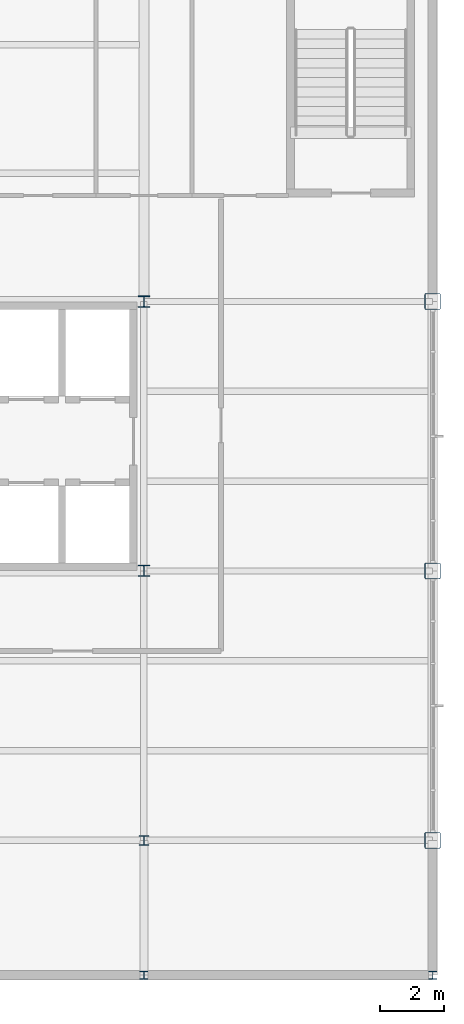
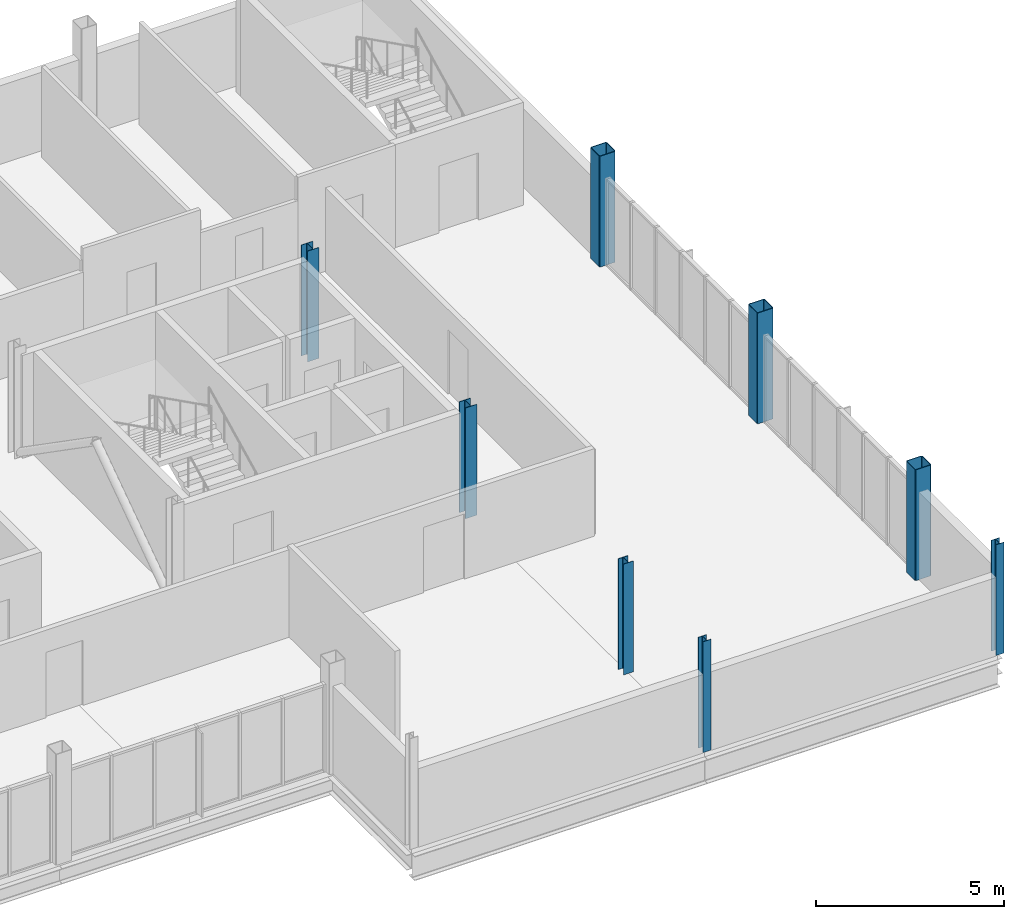
# One storey, part 2 of 16: 8 columns.
"""IFC4 building model written with IfcOpenShell, lengths in metres."""

from ifc_helpers import new_model, si_unit, direction, frame, origin, origin_2d, place, context, subcontext, project, spatial, hollow_rectangle, i_section, extrude, material, material_profile, profile_set, type_object, element, save


model = new_model("IFC4")

# Units and contexts
model_context = context("Model", 3, precision=1e-05, world=origin(), true_north=direction((0.0, 1.0)))
body_context = subcontext(model_context, "Body", "Model", "MODEL_VIEW")
ifc_project = project(units=[si_unit("LENGTHUNIT", "METRE"), si_unit("AREAUNIT", "SQUARE_METRE"), si_unit("VOLUMEUNIT", "CUBIC_METRE"), si_unit("PLANEANGLEUNIT", "RADIAN"), si_unit("MASSUNIT", "GRAM", prefix="KILO")], contexts=[model_context])

# Site, building, storey
site_placement = place(None, origin())
site = spatial("IfcSite", under=ifc_project, at=site_placement, CompositionType="ELEMENT")
building_placement = place(site_placement, origin())
building = spatial("IfcBuilding", under=site, at=building_placement, Name="Yukiwa Park Conservatory and Herbarium", CompositionType="ELEMENT")
storey_placement = place(building_placement, frame((0.0, 0.0, 39.60009765625)))
storey = spatial("IfcBuildingStorey", under=building, at=storey_placement, Name="L10", CompositionType="ELEMENT", Elevation=39.60009765625)

# Columns
ifc_material_1 = material(Name="Steel Q355D", Category="steel")
ifc_material_profile_1 = material_profile(ifc_material_1, i_section(OverallWidth=0.25, OverallDepth=0.25, WebThickness=0.009033203125, FlangeThickness=0.013916015625, FilletRadius=0.01611328125, at=origin_2d()), Name="HW 250x250x9x14")
ifc_profile_set_1 = profile_set([ifc_material_profile_1], Name="Steel Q355D")
column_type_1 = type_object("IfcColumnType", Name="COL-SB-HW250", PredefinedType="COLUMN", material=ifc_profile_set_1)
for number, where, z_axis, x_axis, name in (
    (1, (159.0, 82.199951171875, 0.0), (0.0, 0.0, 1.0), (1.0, 0.0, 0.0), "L10 column V5SB2-X1590-Y822"),
    (2, (168.0, 82.199951171875, 0.0), (0.0, 0.0, 1.0), (1.0, 0.0, 0.0), "L10 column V5SB2-X1680-Y822"),
):
    element("IfcColumn", number, at=place(storey_placement, frame(where, z_axis=z_axis, x_axis=x_axis)), inside=storey, type_object=column_type_1, Name=name, PredefinedType="COLUMN", context=body_context, shape_type="SweptSolid", body=[
        extrude(i_section(OverallWidth=0.25, OverallDepth=0.25, WebThickness=0.009033203125, FlangeThickness=0.013916015625, FilletRadius=0.01611328125, at=origin_2d()), origin(), (0.0, 0.0, 1.0), 3.599853515625),
    ])
ifc_material_2 = material(Name="Steel Q355D", Category="steel")
ifc_material_profile_2 = material_profile(ifc_material_2, hollow_rectangle(XDim=0.5, YDim=0.5, WallThickness=0.02001953125, InnerFilletRadius=0.02001953125, OuterFilletRadius=0.0400390625, at=origin_2d()), Name="BOX 500x500x20")
ifc_profile_set_2 = profile_set([ifc_material_profile_2], Name="Steel Q355D")
column_type_2 = type_object("IfcColumnType", Name="COL-TW-BOX500-EXT", PredefinedType="COLUMN", material=ifc_profile_set_2)
for number, where, z_axis, x_axis, name in (
    (3, (168.0, 86.39990234375, 0.0), (0.0, 0.0, 1.0), (1.0, 0.0, 0.0), "L10 column V5-X1680-Y864"),
    (4, (168.0, 94.800048828125, 0.0), (0.0, 0.0, 1.0), (1.0, 0.0, 0.0), "L10 column V5-X1680-Y948"),
    (5, (168.0, 103.199951171875, 0.0), (0.0, 0.0, 1.0), (1.0, 0.0, 0.0), "L10 column V5-X1680-Y1032"),
):
    element("IfcColumn", number, at=place(storey_placement, frame(where, z_axis=z_axis, x_axis=x_axis)), inside=storey, type_object=column_type_2, Name=name, PredefinedType="COLUMN", context=body_context, shape_type="SweptSolid", body=[
        extrude(hollow_rectangle(XDim=0.5, YDim=0.5, WallThickness=0.02001953125, InnerFilletRadius=0.02001953125, OuterFilletRadius=0.0400390625, at=origin_2d()), origin(), (0.0, 0.0, 1.0), 3.599853515625),
    ])
ifc_material_3 = material(Name="Steel Q355D", Category="steel")
ifc_material_profile_3 = material_profile(ifc_material_3, i_section(OverallWidth=0.300048828125, OverallDepth=0.300048828125, WebThickness=0.010009765625, FlangeThickness=0.014892578125, FilletRadius=0.01806640625, at=origin_2d()), Name="HW 300x300x10x15")
ifc_profile_set_3 = profile_set([ifc_material_profile_3], Name="Steel Q355D")
column_type_3 = type_object("IfcColumnType", Name="COL-TW-HW300", PredefinedType="COLUMN", material=ifc_profile_set_3)
column_placement = place(storey_placement, frame((159.0, 86.39990234375, 0.0), z_axis=(0.0, 0.0, 1.0), x_axis=(1.0, 0.0, 0.0)))
element("IfcColumn", 6, at=column_placement, inside=storey, type_object=column_type_3, Name="L10 column V5-X1590-Y864", PredefinedType="COLUMN", context=body_context, shape_type="SweptSolid", body=[
    extrude(i_section(OverallWidth=0.300048828125, OverallDepth=0.300048828125, WebThickness=0.010009765625, FlangeThickness=0.014892578125, FilletRadius=0.01806640625, at=origin_2d()), origin(), (0.0, 0.0, 1.0), 3.599853515625),
])
ifc_material_4 = material(Name="Steel Q355D", Category="steel")
ifc_material_profile_4 = material_profile(ifc_material_4, i_section(OverallWidth=0.347900390625, OverallDepth=0.343994140625, WebThickness=0.010009765625, FlangeThickness=0.01611328125, FilletRadius=0.02001953125, at=origin_2d()), Name="HW 344x348x10x16")
ifc_profile_set_4 = profile_set([ifc_material_profile_4], Name="Steel Q355D")
column_type_4 = type_object("IfcColumnType", Name="COL-TW-HW344", PredefinedType="COLUMN", material=ifc_profile_set_4)
for number, where, z_axis, x_axis, name in (
    (7, (159.0, 94.800048828125, 0.0), (0.0, 0.0, 1.0), (1.0, 0.0, 0.0), "L10 column V5-X1590-Y948"),
    (8, (159.0, 103.199951171875, 0.0), (0.0, 0.0, 1.0), (1.0, 0.0, 0.0), "L10 column V5-X1590-Y1032"),
):
    element("IfcColumn", number, at=place(storey_placement, frame(where, z_axis=z_axis, x_axis=x_axis)), inside=storey, type_object=column_type_4, Name=name, PredefinedType="COLUMN", context=body_context, shape_type="SweptSolid", body=[
        extrude(i_section(OverallWidth=0.347900390625, OverallDepth=0.343994140625, WebThickness=0.010009765625, FlangeThickness=0.01611328125, FilletRadius=0.02001953125, at=origin_2d()), origin(), (0.0, 0.0, 1.0), 3.599853515625),
    ])

save(model, "model.ifc")
